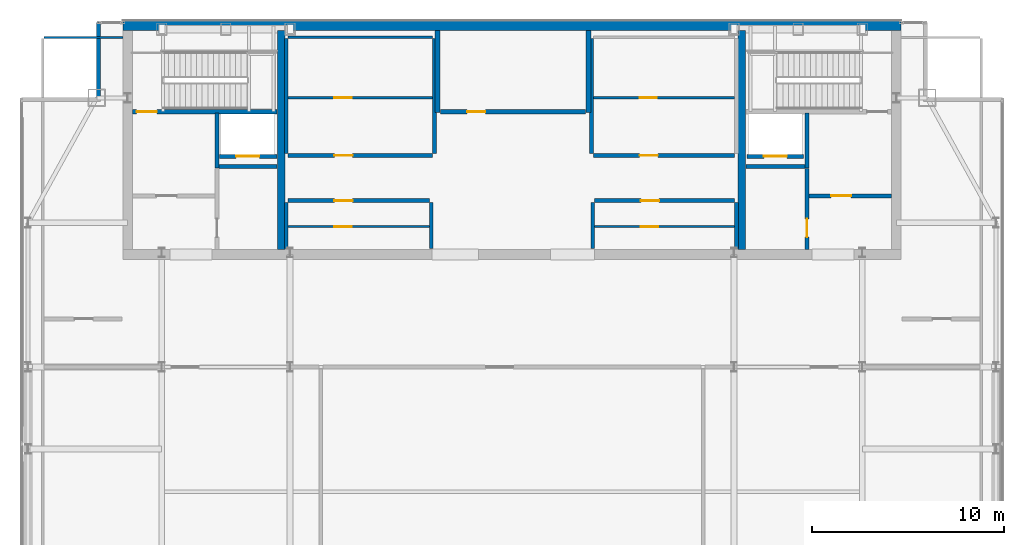
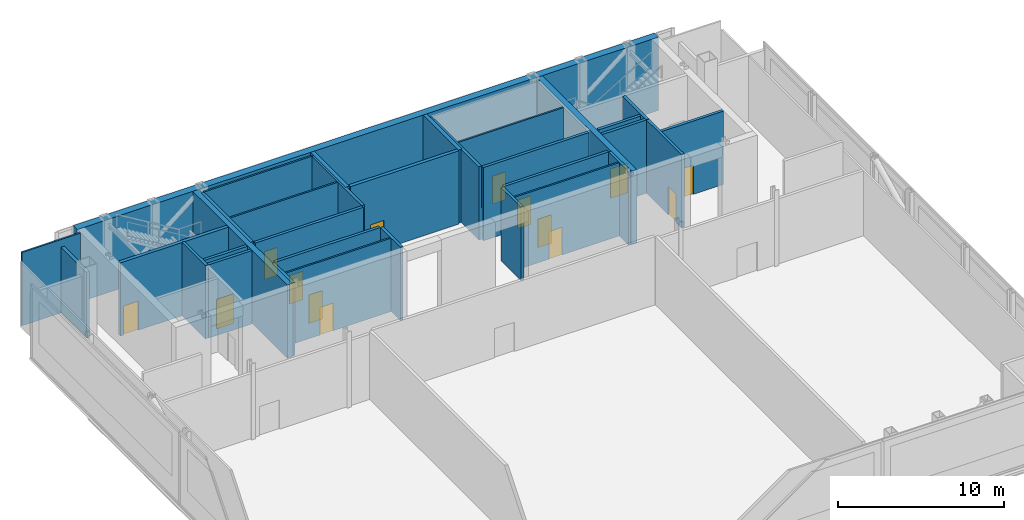
# One storey, part 19 of 22: 33 walls, 14 doors, 14 openings.
"""IFC4 building model written with IfcOpenShell, lengths in metres."""

import ifcopenshell
import ifcopenshell.guid

model = None  # the IFC model being written
_history = None  # IfcOwnerHistory: only IFC2X3 demands one
_inside = {}  # id of a spatial element -> (the spatial element, [elements in it])
_under = {}  # id of a project, library or spatial element -> (it, [spatial elements below it])
_declared = {}  # id of a project -> (the project, [libraries it declares])
_typed = {}  # id of a type object -> (the type object, [elements of that type])
_made_of = {}  # id of a material, layer set ... -> (it, [elements and type objects made of it])


def new_model(schema):
    """Start an empty IFC model of exactly this schema.

    Asked for "IFC4X3", IfcOpenShell would pick the latest addendum, in which some entities
    have other attributes; the version numbers below select the first issue.
    IFC2X3 requires an IfcOwnerHistory on every rooted entity: one is made here for all.
    """
    global model, _history
    if schema == "IFC4X3":
        model = ifcopenshell.file(schema_version=(4, 3, 0, 0))
    else:
        model = ifcopenshell.file(schema=schema)
    _inside.clear()
    _under.clear()
    _declared.clear()
    _typed.clear()
    _made_of.clear()
    _history = None
    if model.schema == "IFC2X3":
        org = make("IfcOrganization", Name="unknown")
        user = make(
            "IfcPersonAndOrganization",
            ThePerson=make("IfcPerson", FamilyName="unknown"),
            TheOrganization=org,
        )
        app = make(
            "IfcApplication",
            ApplicationDeveloper=org,
            Version="unknown",
            ApplicationFullName="unknown",
            ApplicationIdentifier="unknown",
        )
        _history = make(
            "IfcOwnerHistory",
            OwningUser=user,
            OwningApplication=app,
            ChangeAction="ADDED",
            CreationDate=0,
        )
    return model


def make(cls, **values):
    """One entity of the class cls with the attributes given. An attribute that is None is left unset."""
    return model.create_entity(
        cls, **{name: value for name, value in values.items() if value is not None}
    )


def rooted(cls, **values):
    """An entity with a GlobalId (a new one), such as an element, a storey or a relation."""
    return make(cls, GlobalId=ifcopenshell.guid.new(), OwnerHistory=_history, **values)


def si_unit(unit_type, name, prefix=None):
    """IfcSIUnit, for example si_unit("LENGTHUNIT", "METRE", prefix="MILLI")."""
    return make("IfcSIUnit", UnitType=unit_type, Prefix=prefix, Name=name)


def assignment(units):
    """IfcUnitAssignment: the units of a project."""
    return None if units is None else make("IfcUnitAssignment", Units=units)


def point(xyz):
    """IfcCartesianPoint."""
    return None if xyz is None else make("IfcCartesianPoint", Coordinates=xyz)


def direction(xyz):
    """IfcDirection."""
    return None if xyz is None else make("IfcDirection", DirectionRatios=xyz)


def frame(location, z_axis=None, x_axis=None):
    """IfcAxis2Placement3D, a coordinate frame: its origin and axes. An axis left out is left unset."""
    return make(
        "IfcAxis2Placement3D",
        Location=point(location),
        Axis=direction(z_axis),
        RefDirection=direction(x_axis),
    )


def frame_2d(location, x_axis=None):
    """IfcAxis2Placement2D, a coordinate frame in the plane: its origin and x axis."""
    return make(
        "IfcAxis2Placement2D", Location=point(location), RefDirection=direction(x_axis)
    )


def origin():
    """The frame at (0, 0, 0) with its axes left unset."""
    return frame((0.0, 0.0, 0.0))


def place(relative_to, where):
    """IfcLocalPlacement: puts the frame where relative to a parent placement (None: the world)."""
    return make(
        "IfcLocalPlacement", PlacementRelTo=relative_to, RelativePlacement=where
    )


def context(
    kind, dimensions, precision=None, world=None, true_north=None, identifier=None
):
    """IfcGeometricRepresentationContext, for example the 3D "Model" context."""
    return make(
        "IfcGeometricRepresentationContext",
        ContextIdentifier=identifier,
        ContextType=kind,
        CoordinateSpaceDimension=dimensions,
        Precision=precision,
        WorldCoordinateSystem=world,
        TrueNorth=true_north,
    )


def subcontext(parent, identifier, kind, view, scale=None):
    """IfcGeometricRepresentationSubContext, for example "Body" below "Model"."""
    return make(
        "IfcGeometricRepresentationSubContext",
        ContextIdentifier=identifier,
        ContextType=kind,
        ParentContext=parent,
        TargetScale=scale,
        TargetView=view,
    )


def project(units=None, contexts=None):
    """IfcProject with its units and contexts."""
    return rooted(
        "IfcProject",
        Name="project",
        RepresentationContexts=contexts,
        UnitsInContext=assignment(units),
    )


def spatial(cls, under=None, at=None, **own):
    """A site, building, storey or space (cls), placed at a placement, below another one or the project."""
    s = rooted(cls, ObjectPlacement=at, **own)
    if under is not None:
        _under.setdefault(under.id(), (under, []))[1].append(s)
    return s


def profile(cls, at=None, kind="AREA", **sizes):
    """A parametric profile (cls). Its sizes go by their IFC names, for example OverallWidth=200.0."""
    return make(cls, ProfileType=kind, Position=at, **sizes)


def rectangle(**sizes):
    """IfcRectangleProfileDef."""
    return profile("IfcRectangleProfileDef", **sizes)


def extrude(swept, where, along, depth):
    """IfcExtrudedAreaSolid: the profile swept, set in the frame where, extruded along a direction by depth."""
    return make(
        "IfcExtrudedAreaSolid",
        SweptArea=swept,
        Position=where,
        ExtrudedDirection=direction(along),
        Depth=depth,
    )


def shape(context_of_items, identifier, shape_type, items):
    """IfcShapeRepresentation: the items that make up one representation, for example the "Body"."""
    return make(
        "IfcShapeRepresentation",
        ContextOfItems=context_of_items,
        RepresentationIdentifier=identifier,
        RepresentationType=shape_type,
        Items=items,
    )


def material(Name=None, Category=None):
    """IfcMaterial."""
    return make("IfcMaterial", Name=Name, Category=Category)


def layer(
    of_material, thickness, ventilated=None, Name=None, Category=None, Priority=None
):
    """IfcMaterialLayer: one layer of a wall or slab, of a material (None: an air gap)."""
    return make(
        "IfcMaterialLayer",
        Material=of_material,
        LayerThickness=thickness,
        IsVentilated=ventilated,
        Name=Name,
        Category=Category,
        Priority=Priority,
    )


def layer_set(layers, Name=None):
    """IfcMaterialLayerSet."""
    return make("IfcMaterialLayerSet", MaterialLayers=layers, LayerSetName=Name)


def made_of(thing, what):
    """Note that an element or type object is made of a material, layer set ...; save() writes the relation."""
    if what is not None:
        _made_of.setdefault(what.id(), (what, []))[1].append(thing)
    return thing


def type_object(cls, material=None, **own):
    """A type object (cls), such as IfcWallType, which elements share."""
    return made_of(rooted(cls, **own), material)


def element(
    cls,
    number,
    at=None,
    inside=None,
    cuts=None,
    type_object=None,
    material=None,
    context=None,
    identifier="Body",
    shape_type=None,
    held_by="IfcProductDefinitionShape",
    body=None,
    shapes=None,
    **own,
):
    """One element of the class cls, such as IfcWall. Its Tag is "e" and its number.

    at: its placement. inside: the storey or other place that contains it. cuts: it is an
    opening in that element (IfcRelVoidsElement). A single representation is given by context,
    identifier, shape_type and body (its items); several are given by shapes. held_by: the class
    of the entity that holds the representations. save() writes the other relations.
    """
    e = rooted(cls, Tag="e%d" % number, ObjectPlacement=at, **own)
    if body is not None:
        shapes = [shape(context, identifier, shape_type, body)]
    if shapes is not None:
        e.Representation = make(held_by, Representations=shapes)
    if inside is not None:
        _inside.setdefault(inside.id(), (inside, []))[1].append(e)
    if cuts is not None:
        rooted(
            "IfcRelVoidsElement", RelatingBuildingElement=cuts, RelatedOpeningElement=e
        )
    if type_object is not None:
        _typed.setdefault(type_object.id(), (type_object, []))[1].append(e)
    return made_of(e, material)


def fill(opening, filler):
    """IfcRelFillsElement: the door or window that sits in an opening."""
    return rooted(
        "IfcRelFillsElement",
        RelatingOpeningElement=opening,
        RelatedBuildingElement=filler,
    )


def aggregate(whole, parts):
    """IfcRelAggregates: a whole, such as a stair, and the parts it consists of."""
    return rooted("IfcRelAggregates", RelatingObject=whole, RelatedObjects=parts)


def save(model, path):
    """Write the relations noted so far, then the file.

    IfcRelAggregates (storeys below a building ...), IfcRelContainedInSpatialStructure (elements
    in a storey), IfcRelDefinesByType, IfcRelAssociatesMaterial and IfcRelDeclares: one each for
    every whole, place, type object, material and project.
    """
    for whole, parts in _under.values():
        aggregate(whole, parts)
    for where, things in _inside.values():
        rooted(
            "IfcRelContainedInSpatialStructure",
            RelatedElements=things,
            RelatingStructure=where,
        )
    for kind, things in _typed.values():
        rooted("IfcRelDefinesByType", RelatedObjects=things, RelatingType=kind)
    for what, things in _made_of.values():
        rooted("IfcRelAssociatesMaterial", RelatedObjects=things, RelatingMaterial=what)
    for by, libraries in _declared.values():
        rooted("IfcRelDeclares", RelatingContext=by, RelatedDefinitions=libraries)
    model.write(path)


model = new_model("IFC4")

# Units and contexts
model_context = context("Model", 3, precision=1e-05, world=origin(), true_north=direction((0.0, 1.0)))
body_context = subcontext(model_context, "Body", "Model", "MODEL_VIEW")
ifc_project = project(units=[si_unit("LENGTHUNIT", "METRE"), si_unit("AREAUNIT", "SQUARE_METRE"), si_unit("VOLUMEUNIT", "CUBIC_METRE"), si_unit("PLANEANGLEUNIT", "RADIAN"), si_unit("MASSUNIT", "GRAM", prefix="KILO")], contexts=[model_context])

# Site, building, storey
site_placement = place(None, origin())
site = spatial("IfcSite", under=ifc_project, at=site_placement, CompositionType="ELEMENT")
building_placement = place(site_placement, origin())
building = spatial("IfcBuilding", under=site, at=building_placement, Name="Khoronbel Lancet Exchange", CompositionType="ELEMENT")
storey_placement = place(building_placement, frame((0.0, 0.0, 373.0)))
storey = spatial("IfcBuildingStorey", under=building, at=storey_placement, Name="L95", CompositionType="ELEMENT", Elevation=373.0)

# Walls
ifc_material_1 = material(Name="Concrete C60/75", Category="concrete")
ifc_layer_1 = layer(ifc_material_1, 0.5, Name="Concrete C60/75")
ifc_layer_set_1 = layer_set([ifc_layer_1], Name="Concrete C60/75")
wall_type_1 = type_object("IfcWallType", Name="WL-CW4", PredefinedType="SHEAR", material=ifc_layer_set_1)
wall_1_placement = place(storey_placement, frame((16.199951171875, 53.449951171875, 0.0), z_axis=(0.0, 0.0, 1.0), x_axis=(1.0, 0.0, 0.0)))
element("IfcWall", 1, at=wall_1_placement, inside=storey, type_object=wall_type_1, Name="Level L95 rear core north shear wall", PredefinedType="SHEAR", context=body_context, shape_type="SweptSolid", body=[
    extrude(rectangle(XDim=40.5, YDim=0.5, at=frame_2d((20.25, 0.0))), origin(), (0.0, 0.0, 1.0), 5.39990234375),
])
ifc_material_2 = material(Name="Precast concrete C40/50", Category="concrete")
ifc_layer_2 = layer(ifc_material_2, 0.25, Name="Precast concrete C40/50")
ifc_layer_set_2 = layer_set([ifc_layer_2], Name="Precast concrete C40/50")
wall_type_2 = type_object("IfcWallType", Name="WL-EXT250", PredefinedType="SOLIDWALL", material=ifc_layer_set_2)
wall_2_placement = place(storey_placement, frame((14.93994140625, 49.719970703125, 0.0), z_axis=(0.0, 0.0, 1.0), x_axis=(0.0, 1.0, 0.0)))
element("IfcWall", 2, at=wall_2_placement, inside=storey, type_object=wall_type_2, Name="Level L95 notched-corner limestone pier 05", PredefinedType="SOLIDWALL", context=body_context, shape_type="SweptSolid", body=[
    extrude(rectangle(XDim=3.909912109375, YDim=0.219970703125, at=frame_2d((1.955078125, 0.0))), origin(), (0.0, 0.0, 1.0), 4.840087890625),
])
ifc_material_3 = material(Name="Acoustic Metal-Stud & Mineral-Wool Gypsum Partition 120 mm", Category="gypsum")
ifc_layer_3 = layer(ifc_material_3, 0.1201171875, Name="Acoustic Metal-Stud & Mineral-Wool Gypsum Partition 120 mm")
ifc_layer_set_3 = layer_set([ifc_layer_3], Name="Acoustic Metal-Stud & Mineral-Wool Gypsum Partition 120 mm")
wall_type_3 = type_object("IfcWallType", Name="WL-PRT120", PredefinedType="PARTITIONING", material=ifc_layer_set_3)
wall_3_placement = place(storey_placement, frame((12.094970703125, 52.840087890625, 0.0), z_axis=(0.0, 0.0, 1.0), x_axis=(1.0, 0.0, 0.0)))
element("IfcWall", 3, at=wall_3_placement, inside=storey, type_object=wall_type_3, Name="Level L95 interior partition PW-LIN-NW", PredefinedType="PARTITIONING", context=body_context, shape_type="SweptSolid", body=[
    extrude(rectangle(XDim=4.10498046875, YDim=0.1201171875, at=frame_2d((2.052490234375, 0.0))), origin(), (0.0, 0.0, 1.0), 5.39990234375),
])
ifc_material_4 = material(Name="Fire-Rated Metal-Stud & Mineral-Wool Gypsum Partition 120 mm", Category="gypsum")
ifc_layer_4 = layer(ifc_material_4, 0.1201171875, Name="Fire-Rated Metal-Stud & Mineral-Wool Gypsum Partition 120 mm")
ifc_layer_set_4 = layer_set([ifc_layer_4], Name="Fire-Rated Metal-Stud & Mineral-Wool Gypsum Partition 120 mm")
wall_type_4 = type_object("IfcWallType", Name="WL-PRT120F", PredefinedType="PARTITIONING", material=ifc_layer_set_4)
wall_4_placement = place(storey_placement, frame((24.804931640625, 52.860107421875, 0.0), z_axis=(0.0, 0.0, 1.0), x_axis=(1.0, 0.0, 0.0)))
element("IfcWall", 4, at=wall_4_placement, inside=storey, type_object=wall_type_4, Name="Level L95 interior partition CW-PL-RN", PredefinedType="PARTITIONING", context=body_context, shape_type="SweptSolid", body=[
    extrude(rectangle(XDim=7.510009765625, YDim=0.1201171875, at=frame_2d((3.7548828125, 0.0))), origin(), (0.0, 0.0, 1.0), 5.39990234375),
])

# Wall, opening, door
wall_5_placement = place(storey_placement, frame((24.804931640625, 49.708740234375, 0.0), z_axis=(0.0, 0.0, 1.0), x_axis=(1.0, 0.0, 0.0)))
wall_5 = element("IfcWall", 5, at=wall_5_placement, inside=storey, type_object=wall_type_4, Name="Level L95 interior partition CW-PL-RH", PredefinedType="PARTITIONING", context=body_context, shape_type="SweptSolid", body=[
    extrude(rectangle(XDim=7.510009765625, YDim=0.1201171875, at=frame_2d((3.7548828125, 0.0))), origin(), (0.0, 0.0, 1.0), 5.39990234375),
])
opening_1_placement = place(wall_5_placement, frame((2.39990234375, 0.0, 0.0)))
opening_1 = element("IfcOpeningElement", 6, at=opening_1_placement, cuts=wall_5, Name="Opening FD4", PredefinedType="OPENING", context=body_context, shape_type="SweptSolid", body=[
    extrude(rectangle(XDim=0.89990234375, YDim=2.050048828125, at=frame_2d((0.449951171875, 1.02490234375))), frame((0.0, 0.070068359375, 0.0), z_axis=(0.0, -1.0, 0.0), x_axis=(1.0, 0.0, 0.0)), (0.0, 0.0, 1.0), 0.14013671875),
])
ifc_material_5 = material(Name="Fire-Rated Steel Core Support Door Assembly", Category="steel")
door_type_1 = type_object("IfcDoorType", Name="DR-FD4", OperationType="NOTDEFINED", PredefinedType="DOOR", material=ifc_material_5)
door_1_placement = place(opening_1_placement, origin())
door_1 = element("IfcDoor", 7, at=door_1_placement, inside=storey, type_object=door_type_1, Name="Core PL inner store door L95-1", OperationType="SINGLE_SWING_LEFT", OverallHeight=2.050048828125, OverallWidth=0.89990234375, PredefinedType="DOOR", context=body_context, shape_type="SweptSolid", body=[
    extrude(rectangle(XDim=0.89990234375, YDim=2.050048828125, at=frame_2d((0.449951171875, 1.02490234375))), frame((0.0, 0.02490234375, 0.0), z_axis=(0.0, -1.0, 0.0), x_axis=(1.0, 0.0, 0.0)), (0.0, 0.0, 1.0), 0.050048828125),
])
fill(opening_1, door_1)

wall_6_placement = place(storey_placement, frame((24.804931640625, 43.001953125, 0.0), z_axis=(0.0, 0.0, 1.0), x_axis=(1.0, 0.0, 0.0)))
wall_6 = element("IfcWall", 8, at=wall_6_placement, inside=storey, type_object=wall_type_4, Name="Level L95 interior partition CW-PM-RH", PredefinedType="PARTITIONING", context=body_context, shape_type="SweptSolid", body=[
    extrude(rectangle(XDim=7.340087890625, YDim=0.1201171875, at=frame_2d((3.669921875, 0.0))), origin(), (0.0, 0.0, 1.0), 5.39990234375),
])
opening_2_placement = place(wall_6_placement, frame((2.39990234375, 0.0, 0.0)))
opening_2 = element("IfcOpeningElement", 9, at=opening_2_placement, cuts=wall_6, Name="Opening FD4", PredefinedType="OPENING", context=body_context, shape_type="SweptSolid", body=[
    extrude(rectangle(XDim=0.89990234375, YDim=2.050048828125, at=frame_2d((0.449951171875, 1.02490234375))), frame((0.0, 0.070068359375, 0.0), z_axis=(0.0, -1.0, 0.0), x_axis=(1.0, 0.0, 0.0)), (0.0, 0.0, 1.0), 0.14013671875),
])
door_2_placement = place(opening_2_placement, origin())
door_2 = element("IfcDoor", 10, at=door_2_placement, inside=storey, type_object=door_type_1, Name="Core PM inner store door L95-1", OperationType="SINGLE_SWING_LEFT", OverallHeight=2.050048828125, OverallWidth=0.89990234375, PredefinedType="DOOR", context=body_context, shape_type="SweptSolid", body=[
    extrude(rectangle(XDim=0.89990234375, YDim=2.050048828125, at=frame_2d((0.449951171875, 1.02490234375))), frame((0.0, 0.02490234375, 0.0), z_axis=(0.0, -1.0, 0.0), x_axis=(1.0, 0.0, 0.0)), (0.0, 0.0, 1.0), 0.050048828125),
])
fill(opening_2, door_2)

wall_7_placement = place(storey_placement, frame((40.68505859375, 49.708740234375, 0.0), z_axis=(0.0, 0.0, 1.0), x_axis=(1.0, 0.0, 0.0)))
wall_7 = element("IfcWall", 11, at=wall_7_placement, inside=storey, type_object=wall_type_4, Name="Level L95 interior partition CW-PH-RH", PredefinedType="PARTITIONING", context=body_context, shape_type="SweptSolid", body=[
    extrude(rectangle(XDim=7.349853515625, YDim=0.1201171875, at=frame_2d((3.6748046875, 0.0))), origin(), (0.0, 0.0, 1.0), 5.39990234375),
])
opening_3_placement = place(wall_7_placement, frame((2.39990234375, 0.0, 0.0)))
opening_3 = element("IfcOpeningElement", 12, at=opening_3_placement, cuts=wall_7, Name="Opening FD4", PredefinedType="OPENING", context=body_context, shape_type="SweptSolid", body=[
    extrude(rectangle(XDim=0.89990234375, YDim=2.050048828125, at=frame_2d((0.449951171875, 1.02490234375))), frame((0.0, 0.070068359375, 0.0), z_axis=(0.0, -1.0, 0.0), x_axis=(1.0, 0.0, 0.0)), (0.0, 0.0, 1.0), 0.14013671875),
])
door_3_placement = place(opening_3_placement, origin())
door_3 = element("IfcDoor", 13, at=door_3_placement, inside=storey, type_object=door_type_1, Name="Core PH inner store door L95-1", OperationType="SINGLE_SWING_LEFT", OverallHeight=2.050048828125, OverallWidth=0.89990234375, PredefinedType="DOOR", context=body_context, shape_type="SweptSolid", body=[
    extrude(rectangle(XDim=0.89990234375, YDim=2.050048828125, at=frame_2d((0.449951171875, 1.02490234375))), frame((0.0, 0.02490234375, 0.0), z_axis=(0.0, -1.0, 0.0), x_axis=(1.0, 0.0, 0.0)), (0.0, 0.0, 1.0), 0.050048828125),
])
fill(opening_3, door_3)

wall_8_placement = place(storey_placement, frame((40.7548828125, 43.001953125, 0.0), z_axis=(0.0, 0.0, 1.0), x_axis=(1.0, 0.0, 0.0)))
wall_8 = element("IfcWall", 14, at=wall_8_placement, inside=storey, type_object=wall_type_4, Name="Level L95 interior partition CW-PX-RH", PredefinedType="PARTITIONING", context=body_context, shape_type="SweptSolid", body=[
    extrude(rectangle(XDim=7.280029296875, YDim=0.1201171875, at=frame_2d((3.64013671875, 0.0))), origin(), (0.0, 0.0, 1.0), 5.39990234375),
])
opening_4_placement = place(wall_8_placement, frame((2.39990234375, 0.0, 0.0)))
opening_4 = element("IfcOpeningElement", 15, at=opening_4_placement, cuts=wall_8, Name="Opening FD4", PredefinedType="OPENING", context=body_context, shape_type="SweptSolid", body=[
    extrude(rectangle(XDim=0.89990234375, YDim=2.050048828125, at=frame_2d((0.449951171875, 1.02490234375))), frame((0.0, 0.070068359375, 0.0), z_axis=(0.0, -1.0, 0.0), x_axis=(1.0, 0.0, 0.0)), (0.0, 0.0, 1.0), 0.14013671875),
])
door_4_placement = place(opening_4_placement, origin())
door_4 = element("IfcDoor", 16, at=door_4_placement, inside=storey, type_object=door_type_1, Name="Core PX inner store door L95-1", OperationType="SINGLE_SWING_LEFT", OverallHeight=2.050048828125, OverallWidth=0.89990234375, PredefinedType="DOOR", context=body_context, shape_type="SweptSolid", body=[
    extrude(rectangle(XDim=0.89990234375, YDim=2.050048828125, at=frame_2d((0.449951171875, 1.02490234375))), frame((0.0, 0.02490234375, 0.0), z_axis=(0.0, -1.0, 0.0), x_axis=(1.0, 0.0, 0.0)), (0.0, 0.0, 1.0), 0.050048828125),
])
fill(opening_4, door_4)

ifc_material_6 = material(Name="Autoclaved Aerated Concrete Blockwork 200 mm", Category="masonry")
ifc_layer_5 = layer(ifc_material_6, 0.199951171875, Name="Autoclaved Aerated Concrete Blockwork 200 mm")
ifc_layer_set_5 = layer_set([ifc_layer_5], Name="Autoclaved Aerated Concrete Blockwork 200 mm")
wall_type_5 = type_object("IfcWallType", Name="WL-PRT200", PredefinedType="PARTITIONING", material=ifc_layer_set_5)
wall_9_placement = place(storey_placement, frame((51.610107421875, 46.64990234375, 0.0), z_axis=(0.0, 0.0, 1.0), x_axis=(-1.0, 0.0, 0.0)))
wall_9 = element("IfcWall", 17, at=wall_9_placement, inside=storey, type_object=wall_type_5, Name="Level L95 elevator hoistway landing front wall FFLE", PredefinedType="PARTITIONING", context=body_context, shape_type="SweptSolid", body=[
    extrude(rectangle(XDim=2.920166015625, YDim=0.199951171875, at=frame_2d((1.4599609375, 0.0))), origin(), (0.0, 0.0, 1.0), 5.39990234375),
])
opening_5_placement = place(wall_9_placement, frame((0.860107421875, 0.0, 0.0)))
opening_5 = element("IfcOpeningElement", 18, at=opening_5_placement, cuts=wall_9, Name="Opening LD-FFL2", PredefinedType="OPENING", context=body_context, shape_type="SweptSolid", body=[
    extrude(rectangle(XDim=1.199951171875, YDim=2.179931640625, at=frame_2d((0.60009765625, 1.08984375))), frame((0.0, 0.10986328125, 0.0), z_axis=(0.0, -1.0, 0.0), x_axis=(1.0, 0.0, 0.0)), (0.0, 0.0, 1.0), 0.219970703125),
])
ifc_material_7 = material(Name="Fire-Rated Stainless Bi-Parting Firefighting Lift Door", Category="steel")
door_type_2 = type_object("IfcDoorType", Name="DR-LD-FFL", OperationType="NOTDEFINED", PredefinedType="DOOR", material=ifc_material_7)
door_5_placement = place(opening_5_placement, origin())
door_5 = element("IfcDoor", 19, at=door_5_placement, inside=storey, type_object=door_type_2, Name="Elevator landing sliding door LD-FFL2 L95", OperationType="SLIDING_TO_LEFT", OverallHeight=2.179931640625, OverallWidth=1.199951171875, PredefinedType="DOOR", context=body_context, shape_type="SweptSolid", body=[
    extrude(rectangle(XDim=1.199951171875, YDim=2.179931640625, at=frame_2d((0.60009765625, 1.08984375))), frame((0.0, 0.02490234375, 0.0), z_axis=(0.0, -1.0, 0.0), x_axis=(1.0, 0.0, 0.0)), (0.0, 0.0, 1.0), 0.050048828125),
])
fill(opening_5, door_5)

wall_10_placement = place(storey_placement, frame((24.2099609375, 46.64990234375, 0.0), z_axis=(0.0, 0.0, 1.0), x_axis=(-1.0, 0.0, 0.0)))
wall_10 = element("IfcWall", 20, at=wall_10_placement, inside=storey, type_object=wall_type_5, Name="Level L95 elevator hoistway landing front wall FFLW", PredefinedType="PARTITIONING", context=body_context, shape_type="SweptSolid", body=[
    extrude(rectangle(XDim=2.969970703125, YDim=0.199951171875, at=frame_2d((1.48486328125, 0.0))), origin(), (0.0, 0.0, 1.0), 5.39990234375),
])
opening_6_placement = place(wall_10_placement, frame((0.909912109375, 0.0, 0.0)))
opening_6 = element("IfcOpeningElement", 21, at=opening_6_placement, cuts=wall_10, Name="Opening LD-FFL1", PredefinedType="OPENING", context=body_context, shape_type="SweptSolid", body=[
    extrude(rectangle(XDim=1.199951171875, YDim=2.179931640625, at=frame_2d((0.60009765625, 1.08984375))), frame((0.0, 0.10986328125, 0.0), z_axis=(0.0, -1.0, 0.0), x_axis=(1.0, 0.0, 0.0)), (0.0, 0.0, 1.0), 0.219970703125),
])
door_6_placement = place(opening_6_placement, origin())
door_6 = element("IfcDoor", 22, at=door_6_placement, inside=storey, type_object=door_type_2, Name="Elevator landing sliding door LD-FFL1 L95", OperationType="SLIDING_TO_LEFT", OverallHeight=2.179931640625, OverallWidth=1.199951171875, PredefinedType="DOOR", context=body_context, shape_type="SweptSolid", body=[
    extrude(rectangle(XDim=1.199951171875, YDim=2.179931640625, at=frame_2d((0.60009765625, 1.08984375))), frame((0.0, 0.02490234375, 0.0), z_axis=(0.0, -1.0, 0.0), x_axis=(1.0, 0.0, 0.0)), (0.0, 0.0, 1.0), 0.050048828125),
])
fill(opening_6, door_6)

# Walls
wall_11_placement = place(storey_placement, frame((21.10009765625, 46.050048828125, 0.0), z_axis=(0.0, 0.0, 1.0), x_axis=(0.0, 1.0, 0.0)))
element("IfcWall", 23, at=wall_11_placement, inside=storey, type_object=wall_type_5, Name="Level L95 interior partition CW-FFLW-E", PredefinedType="PARTITIONING", context=body_context, shape_type="SweptSolid", body=[
    extrude(rectangle(XDim=2.849853515625, YDim=0.199951171875, at=frame_2d((1.4248046875, 0.0))), origin(), (0.0, 0.0, 1.0), 5.39990234375),
])
wall_12_placement = place(storey_placement, frame((21.199951171875, 46.1201171875, 0.0), z_axis=(0.0, 0.0, 1.0), x_axis=(1.0, 0.0, 0.0)))
element("IfcWall", 24, at=wall_12_placement, inside=storey, type_object=wall_type_5, Name="Level L95 interior partition CW-FFL1-S", PredefinedType="PARTITIONING", context=body_context, shape_type="SweptSolid", body=[
    extrude(rectangle(XDim=3.02001953125, YDim=0.199951171875, at=frame_2d((1.510009765625, 0.0))), origin(), (0.0, 0.0, 1.0), 5.39990234375),
])
wall_13_placement = place(storey_placement, frame((51.800048828125, 46.050048828125, 0.0), z_axis=(0.0, 0.0, 1.0), x_axis=(0.0, 1.0, 0.0)))
element("IfcWall", 25, at=wall_13_placement, inside=storey, type_object=wall_type_5, Name="Level L95 interior partition CW-FFLE-W", PredefinedType="PARTITIONING", context=body_context, shape_type="SweptSolid", body=[
    extrude(rectangle(XDim=2.849853515625, YDim=0.199951171875, at=frame_2d((1.4248046875, 0.0))), origin(), (0.0, 0.0, 1.0), 5.39990234375),
])

# Wall, opening, door
wall_14_placement = place(storey_placement, frame((51.89990234375, 44.60009765625, 0.0), z_axis=(0.0, 0.0, 1.0), x_axis=(1.0, 0.0, 0.0)))
wall_14 = element("IfcWall", 26, at=wall_14_placement, inside=storey, type_object=wall_type_5, Name="Level L95 interior partition CW-FFLE-S", PredefinedType="PARTITIONING", context=body_context, shape_type="SweptSolid", body=[
    extrude(rectangle(XDim=4.300048828125, YDim=0.199951171875, at=frame_2d((2.14990234375, 0.0))), origin(), (0.0, 0.0, 1.0), 5.39990234375),
])
opening_7_placement = place(wall_14_placement, frame((1.14990234375, 0.0, 0.0)))
opening_7 = element("IfcOpeningElement", 27, at=opening_7_placement, cuts=wall_14, Name="Opening FD1", PredefinedType="OPENING", context=body_context, shape_type="SweptSolid", body=[
    extrude(rectangle(XDim=1.050048828125, YDim=2.14990234375, at=frame_2d((0.52490234375, 1.074951171875))), frame((0.0, 0.10986328125, 0.0), z_axis=(0.0, -1.0, 0.0), x_axis=(1.0, 0.0, 0.0)), (0.0, 0.0, 1.0), 0.219970703125),
])
ifc_material_8 = material(Name="Fire-Rated Painted Steel Door Assembly", Category="steel")
door_type_3 = type_object("IfcDoorType", Name="DR-FD1", OperationType="NOTDEFINED", PredefinedType="DOOR", material=ifc_material_8)
door_7_placement = place(opening_7_placement, origin())
door_7 = element("IfcDoor", 28, at=door_7_placement, inside=storey, type_object=door_type_3, Name="East firefighting lobby FD90S door L95-1", OperationType="SINGLE_SWING_LEFT", OverallHeight=2.14990234375, OverallWidth=1.050048828125, PredefinedType="DOOR", context=body_context, shape_type="SweptSolid", body=[
    extrude(rectangle(XDim=1.050048828125, YDim=2.14990234375, at=frame_2d((0.52490234375, 1.074951171875))), frame((0.0, 0.02490234375, 0.0), z_axis=(0.0, -1.0, 0.0), x_axis=(1.0, 0.0, 0.0)), (0.0, 0.0, 1.0), 0.050048828125),
])
fill(opening_7, door_7)

# Wall
wall_15_placement = place(storey_placement, frame((48.6298828125, 46.1201171875, 0.0), z_axis=(0.0, 0.0, 1.0), x_axis=(1.0, 0.0, 0.0)))
element("IfcWall", 29, at=wall_15_placement, inside=storey, type_object=wall_type_5, Name="Level L95 interior partition CW-FFL2-S", PredefinedType="PARTITIONING", context=body_context, shape_type="SweptSolid", body=[
    extrude(rectangle(XDim=3.070068359375, YDim=0.199951171875, at=frame_2d((1.53515625, 0.0))), origin(), (0.0, 0.0, 1.0), 5.39990234375),
])

# Wall, opening, door
wall_16_placement = place(storey_placement, frame((51.800048828125, 41.800048828125, 0.0), z_axis=(0.0, 0.0, 1.0), x_axis=(0.0, 1.0, 0.0)))
wall_16 = element("IfcWall", 30, at=wall_16_placement, inside=storey, type_object=wall_type_5, Name="Level L95 interior partition CW-SVL2-REC", PredefinedType="PARTITIONING", context=body_context, shape_type="SweptSolid", body=[
    extrude(rectangle(XDim=4.21484375, YDim=0.199951171875, at=frame_2d((2.107421875, 0.0))), origin(), (0.0, 0.0, 1.0), 5.39990234375),
])
opening_8_placement = place(wall_16_placement, frame((0.64990234375, 0.0, 0.0)))
opening_8 = element("IfcOpeningElement", 31, at=opening_8_placement, cuts=wall_16, Name="Opening FD3", PredefinedType="OPENING", context=body_context, shape_type="SweptSolid", body=[
    extrude(rectangle(XDim=0.949951171875, YDim=2.10009765625, at=frame_2d((0.47509765625, 1.050048828125))), frame((0.0, 0.10986328125, 0.0), z_axis=(0.0, -1.0, 0.0), x_axis=(1.0, 0.0, 0.0)), (0.0, 0.0, 1.0), 0.219970703125),
])
ifc_material_9 = material(Name="Fire-Rated Steel Plant & Riser Door Assembly", Category="steel")
door_type_4 = type_object("IfcDoorType", Name="DR-FD3", OperationType="NOTDEFINED", PredefinedType="DOOR", material=ifc_material_9)
door_8_placement = place(opening_8_placement, origin())
door_8 = element("IfcDoor", 32, at=door_8_placement, inside=storey, type_object=door_type_4, Name="Crown hydraulics plant door L95-1", OperationType="SINGLE_SWING_RIGHT", OverallHeight=2.10009765625, OverallWidth=0.949951171875, PredefinedType="DOOR", context=body_context, shape_type="SweptSolid", body=[
    extrude(rectangle(XDim=0.949951171875, YDim=2.10009765625, at=frame_2d((0.47509765625, 1.050048828125))), frame((0.0, 0.02490234375, 0.0), z_axis=(0.0, -1.0, 0.0), x_axis=(1.0, 0.0, 0.0)), (0.0, 0.0, 1.0), 0.050048828125),
])
fill(opening_8, door_8)

# Walls
for number, where, z_axis, x_axis, name in (
    (33, (24.699951171875, 46.804931640625, 0.0), (0.0, 0.0, 1.0), (0.0, 1.0, 0.0), "Level L95 interior partition CW-PL-RW"),
    (34, (32.419921875, 46.804931640625, 0.0), (0.0, 0.0, 1.0), (0.0, 1.0, 0.0), "Level L95 interior partition CW-PL-RE"),
):
    element("IfcWall", number, at=place(storey_placement, frame(where, z_axis=z_axis, x_axis=x_axis)), inside=storey, type_object=wall_type_5, Name=name, PredefinedType="PARTITIONING", context=body_context, shape_type="SweptSolid", body=[
        extrude(rectangle(XDim=5.989990234375, YDim=0.199951171875, at=frame_2d((2.9951171875, 0.0))), origin(), (0.0, 0.0, 1.0), 5.39990234375),
    ])

# Wall, opening, door
wall_17_placement = place(storey_placement, frame((24.804931640625, 46.699951171875, 0.0), z_axis=(0.0, 0.0, 1.0), x_axis=(1.0, 0.0, 0.0)))
wall_17 = element("IfcWall", 35, at=wall_17_placement, inside=storey, type_object=wall_type_5, Name="Level L95 interior partition CW-PL-RF", PredefinedType="PARTITIONING", context=body_context, shape_type="SweptSolid", body=[
    extrude(rectangle(XDim=7.510009765625, YDim=0.199951171875, at=frame_2d((3.7548828125, 0.0))), origin(), (0.0, 0.0, 1.0), 5.39990234375),
])
opening_9_placement = place(wall_17_placement, frame((2.39990234375, 0.0, 0.0)))
opening_9 = element("IfcOpeningElement", 36, at=opening_9_placement, cuts=wall_17, Name="Opening FD3", PredefinedType="OPENING", context=body_context, shape_type="SweptSolid", body=[
    extrude(rectangle(XDim=0.949951171875, YDim=2.10009765625, at=frame_2d((0.47509765625, 1.050048828125))), frame((0.0, 0.10986328125, 0.0), z_axis=(0.0, -1.0, 0.0), x_axis=(1.0, 0.0, 0.0)), (0.0, 0.0, 1.0), 0.219970703125),
])
door_9_placement = place(opening_9_placement, origin())
door_9 = element("IfcDoor", 37, at=door_9_placement, inside=storey, type_object=door_type_4, Name="Core PL merged gallery room door L95-1", OperationType="SINGLE_SWING_RIGHT", OverallHeight=2.10009765625, OverallWidth=0.949951171875, PredefinedType="DOOR", context=body_context, shape_type="SweptSolid", body=[
    extrude(rectangle(XDim=0.949951171875, YDim=2.10009765625, at=frame_2d((0.47509765625, 1.050048828125))), frame((0.0, 0.02490234375, 0.0), z_axis=(0.0, -1.0, 0.0), x_axis=(1.0, 0.0, 0.0)), (0.0, 0.0, 1.0), 0.050048828125),
])
fill(opening_9, door_9)

# Walls
for number, where, z_axis, x_axis, name in (
    (38, (24.699951171875, 41.85009765625, 0.0), (0.0, 0.0, 1.0), (0.0, 1.0, 0.0), "Level L95 interior partition CW-PM-RW"),
    (39, (32.25, 41.85009765625, 0.0), (0.0, 0.0, 1.0), (0.0, 1.0, 0.0), "Level L95 interior partition CW-PM-RE"),
):
    element("IfcWall", number, at=place(storey_placement, frame(where, z_axis=z_axis, x_axis=x_axis)), inside=storey, type_object=wall_type_5, Name=name, PredefinedType="PARTITIONING", context=body_context, shape_type="SweptSolid", body=[
        extrude(rectangle(XDim=2.39501953125, YDim=0.199951171875, at=frame_2d((1.197509765625, 0.0))), origin(), (0.0, 0.0, 1.0), 5.39990234375),
    ])

# Wall, opening, door
wall_18_placement = place(storey_placement, frame((24.804931640625, 44.35009765625, 0.0), z_axis=(0.0, 0.0, 1.0), x_axis=(1.0, 0.0, 0.0)))
wall_18 = element("IfcWall", 40, at=wall_18_placement, inside=storey, type_object=wall_type_5, Name="Level L95 interior partition CW-PM-RF", PredefinedType="PARTITIONING", context=body_context, shape_type="SweptSolid", body=[
    extrude(rectangle(XDim=7.340087890625, YDim=0.199951171875, at=frame_2d((3.669921875, 0.0))), origin(), (0.0, 0.0, 1.0), 5.39990234375),
])
opening_10_placement = place(wall_18_placement, frame((2.39990234375, 0.0, 0.0)))
opening_10 = element("IfcOpeningElement", 41, at=opening_10_placement, cuts=wall_18, Name="Opening FD3", PredefinedType="OPENING", context=body_context, shape_type="SweptSolid", body=[
    extrude(rectangle(XDim=0.949951171875, YDim=2.10009765625, at=frame_2d((0.47509765625, 1.050048828125))), frame((0.0, 0.10986328125, 0.0), z_axis=(0.0, -1.0, 0.0), x_axis=(1.0, 0.0, 0.0)), (0.0, 0.0, 1.0), 0.219970703125),
])
door_10_placement = place(opening_10_placement, origin())
door_10 = element("IfcDoor", 42, at=door_10_placement, inside=storey, type_object=door_type_4, Name="Core PM merged gallery room door L95-1", OperationType="SINGLE_SWING_RIGHT", OverallHeight=2.10009765625, OverallWidth=0.949951171875, PredefinedType="DOOR", context=body_context, shape_type="SweptSolid", body=[
    extrude(rectangle(XDim=0.949951171875, YDim=2.10009765625, at=frame_2d((0.47509765625, 1.050048828125))), frame((0.0, 0.02490234375, 0.0), z_axis=(0.0, -1.0, 0.0), x_axis=(1.0, 0.0, 0.0)), (0.0, 0.0, 1.0), 0.050048828125),
])
fill(opening_10, door_10)

# Wall
wall_19_placement = place(storey_placement, frame((40.580078125, 46.804931640625, 0.0), z_axis=(0.0, 0.0, 1.0), x_axis=(0.0, 1.0, 0.0)))
element("IfcWall", 43, at=wall_19_placement, inside=storey, type_object=wall_type_5, Name="Level L95 interior partition CW-PH-RW", PredefinedType="PARTITIONING", context=body_context, shape_type="SweptSolid", body=[
    extrude(rectangle(XDim=5.989990234375, YDim=0.199951171875, at=frame_2d((2.9951171875, 0.0))), origin(), (0.0, 0.0, 1.0), 5.39990234375),
])

# Wall, opening, door
wall_20_placement = place(storey_placement, frame((40.68505859375, 46.699951171875, 0.0), z_axis=(0.0, 0.0, 1.0), x_axis=(1.0, 0.0, 0.0)))
wall_20 = element("IfcWall", 44, at=wall_20_placement, inside=storey, type_object=wall_type_5, Name="Level L95 interior partition CW-PH-RF", PredefinedType="PARTITIONING", context=body_context, shape_type="SweptSolid", body=[
    extrude(rectangle(XDim=7.349853515625, YDim=0.199951171875, at=frame_2d((3.6748046875, 0.0))), origin(), (0.0, 0.0, 1.0), 5.39990234375),
])
opening_11_placement = place(wall_20_placement, frame((2.39990234375, 0.0, 0.0)))
opening_11 = element("IfcOpeningElement", 45, at=opening_11_placement, cuts=wall_20, Name="Opening FD3", PredefinedType="OPENING", context=body_context, shape_type="SweptSolid", body=[
    extrude(rectangle(XDim=0.949951171875, YDim=2.10009765625, at=frame_2d((0.47509765625, 1.050048828125))), frame((0.0, 0.10986328125, 0.0), z_axis=(0.0, -1.0, 0.0), x_axis=(1.0, 0.0, 0.0)), (0.0, 0.0, 1.0), 0.219970703125),
])
door_11_placement = place(opening_11_placement, origin())
door_11 = element("IfcDoor", 46, at=door_11_placement, inside=storey, type_object=door_type_4, Name="Core PH merged gallery room door L95-1", OperationType="SINGLE_SWING_RIGHT", OverallHeight=2.10009765625, OverallWidth=0.949951171875, PredefinedType="DOOR", context=body_context, shape_type="SweptSolid", body=[
    extrude(rectangle(XDim=0.949951171875, YDim=2.10009765625, at=frame_2d((0.47509765625, 1.050048828125))), frame((0.0, 0.02490234375, 0.0), z_axis=(0.0, -1.0, 0.0), x_axis=(1.0, 0.0, 0.0)), (0.0, 0.0, 1.0), 0.050048828125),
])
fill(opening_11, door_11)

# Walls
for number, where, z_axis, x_axis, name in (
    (47, (40.64990234375, 41.85009765625, 0.0), (0.0, 0.0, 1.0), (0.0, 1.0, 0.0), "Level L95 interior partition CW-PX-RW"),
    (48, (48.139892578125, 41.85009765625, 0.0), (0.0, 0.0, 1.0), (0.0, 1.0, 0.0), "Level L95 interior partition CW-PX-RE"),
):
    element("IfcWall", number, at=place(storey_placement, frame(where, z_axis=z_axis, x_axis=x_axis)), inside=storey, type_object=wall_type_5, Name=name, PredefinedType="PARTITIONING", context=body_context, shape_type="SweptSolid", body=[
        extrude(rectangle(XDim=2.39501953125, YDim=0.199951171875, at=frame_2d((1.197509765625, 0.0))), origin(), (0.0, 0.0, 1.0), 5.39990234375),
    ])

# Wall, opening, door
wall_21_placement = place(storey_placement, frame((40.7548828125, 44.35009765625, 0.0), z_axis=(0.0, 0.0, 1.0), x_axis=(1.0, 0.0, 0.0)))
wall_21 = element("IfcWall", 49, at=wall_21_placement, inside=storey, type_object=wall_type_5, Name="Level L95 interior partition CW-PX-RF", PredefinedType="PARTITIONING", context=body_context, shape_type="SweptSolid", body=[
    extrude(rectangle(XDim=7.280029296875, YDim=0.199951171875, at=frame_2d((3.64013671875, 0.0))), origin(), (0.0, 0.0, 1.0), 5.39990234375),
])
opening_12_placement = place(wall_21_placement, frame((2.39990234375, 0.0, 0.0)))
opening_12 = element("IfcOpeningElement", 50, at=opening_12_placement, cuts=wall_21, Name="Opening FD3", PredefinedType="OPENING", context=body_context, shape_type="SweptSolid", body=[
    extrude(rectangle(XDim=0.949951171875, YDim=2.10009765625, at=frame_2d((0.47509765625, 1.050048828125))), frame((0.0, 0.10986328125, 0.0), z_axis=(0.0, -1.0, 0.0), x_axis=(1.0, 0.0, 0.0)), (0.0, 0.0, 1.0), 0.219970703125),
])
door_12_placement = place(opening_12_placement, origin())
door_12 = element("IfcDoor", 51, at=door_12_placement, inside=storey, type_object=door_type_4, Name="Core PX merged gallery room door L95-1", OperationType="SINGLE_SWING_RIGHT", OverallHeight=2.10009765625, OverallWidth=0.949951171875, PredefinedType="DOOR", context=body_context, shape_type="SweptSolid", body=[
    extrude(rectangle(XDim=0.949951171875, YDim=2.10009765625, at=frame_2d((0.47509765625, 1.050048828125))), frame((0.0, 0.02490234375, 0.0), z_axis=(0.0, -1.0, 0.0), x_axis=(1.0, 0.0, 0.0)), (0.0, 0.0, 1.0), 0.050048828125),
])
fill(opening_12, door_12)

# Walls
ifc_layer_6 = layer(ifc_material_1, 0.39990234375, Name="Concrete C60/75")
ifc_layer_set_6 = layer_set([ifc_layer_6], Name="Concrete C60/75")
wall_type_6 = type_object("IfcWallType", Name="WL-SW2", PredefinedType="SHEAR", material=ifc_layer_set_6)
for number, where, z_axis, x_axis, name in (
    (52, (24.449951171875, 41.800048828125, 0.0), (0.0, 0.0, 1.0), (0.0, 1.0, 0.0), "Level L95 rear core internal spine shear wall IW"),
    (53, (48.39990234375, 41.800048828125, 0.0), (0.0, 0.0, 1.0), (0.0, 1.0, 0.0), "Level L95 rear core internal spine shear wall IE"),
):
    element("IfcWall", number, at=place(storey_placement, frame(where, z_axis=z_axis, x_axis=x_axis)), inside=storey, type_object=wall_type_6, Name=name, PredefinedType="SHEAR", context=body_context, shape_type="SweptSolid", body=[
        extrude(rectangle(XDim=11.39990234375, YDim=0.39990234375, at=frame_2d((5.699951171875, 0.0))), origin(), (0.0, 0.0, 1.0), 5.39990234375),
    ])
ifc_layer_7 = layer(ifc_material_1, 0.260009765625, Name="Concrete C60/75")
ifc_layer_set_7 = layer_set([ifc_layer_7], Name="Concrete C60/75")
wall_type_7 = type_object("IfcWallType", Name="WL-SW3", PredefinedType="SHEAR", material=ifc_layer_set_7)
for number, where, z_axis, x_axis, name in (
    (54, (32.580078125, 48.949951171875, 0.0), (0.0, 0.0, 1.0), (0.0, 1.0, 0.0), "Level L95 central stairwell structural shear wall ST3W"),
    (55, (40.419921875, 48.949951171875, 0.0), (0.0, 0.0, 1.0), (0.0, 1.0, 0.0), "Level L95 central stairwell structural shear wall ST3E"),
):
    element("IfcWall", number, at=place(storey_placement, frame(where, z_axis=z_axis, x_axis=x_axis)), inside=storey, type_object=wall_type_7, Name=name, PredefinedType="SHEAR", context=body_context, shape_type="SweptSolid", body=[
        extrude(rectangle(XDim=4.25, YDim=0.260009765625, at=frame_2d((2.125, 0.0))), origin(), (0.0, 0.0, 1.0), 5.39990234375),
    ])

# Wall, opening, door
wall_22_placement = place(storey_placement, frame((16.699951171875, 48.97998046875, 0.0), z_axis=(0.0, 0.0, 1.0), x_axis=(1.0, 0.0, 0.0)))
wall_22 = element("IfcWall", 56, at=wall_22_placement, inside=storey, type_object=wall_type_7, Name="Level L95 west stairwell structural south wall", PredefinedType="SHEAR", context=body_context, shape_type="SweptSolid", body=[
    extrude(rectangle(XDim=7.52001953125, YDim=0.239990234375, at=frame_2d((3.760009765625, 0.0))), origin(), (0.0, 0.0, 1.0), 5.39990234375),
])
opening_13_placement = place(wall_22_placement, frame((0.219970703125, 0.0, 0.0)))
opening_13 = element("IfcOpeningElement", 57, at=opening_13_placement, cuts=wall_22, Name="Opening SD1", PredefinedType="OPENING", context=body_context, shape_type="SweptSolid", body=[
    extrude(rectangle(XDim=1.050048828125, YDim=2.14990234375, at=frame_2d((0.52490234375, 1.074951171875))), frame((0.0, 0.1298828125, 0.0), z_axis=(0.0, -1.0, 0.0), x_axis=(1.0, 0.0, 0.0)), (0.0, 0.0, 1.0), 0.260009765625),
])
ifc_material_10 = material(Name="Fire-Rated Steel Stairwell Door Assembly", Category="steel")
door_type_5 = type_object("IfcDoorType", Name="DR-SD1", OperationType="NOTDEFINED", PredefinedType="DOOR", material=ifc_material_10)
door_13_placement = place(opening_13_placement, origin())
door_13 = element("IfcDoor", 58, at=door_13_placement, inside=storey, type_object=door_type_5, Name="Protected exit stair ST1 door L95", OperationType="SINGLE_SWING_LEFT", OverallHeight=2.14990234375, OverallWidth=1.050048828125, PredefinedType="DOOR", context=body_context, shape_type="SweptSolid", body=[
    extrude(rectangle(XDim=1.050048828125, YDim=2.14990234375, at=frame_2d((0.52490234375, 1.074951171875))), frame((0.0, 0.02490234375, 0.0), z_axis=(0.0, -1.0, 0.0), x_axis=(1.0, 0.0, 0.0)), (0.0, 0.0, 1.0), 0.050048828125),
])
fill(opening_13, door_13)

wall_23_placement = place(storey_placement, frame((32.719970703125, 48.97998046875, 0.0), z_axis=(0.0, 0.0, 1.0), x_axis=(1.0, 0.0, 0.0)))
wall_23 = element("IfcWall", 59, at=wall_23_placement, inside=storey, type_object=wall_type_7, Name="Level L95 central stairwell structural south wall", PredefinedType="SHEAR", context=body_context, shape_type="SweptSolid", body=[
    extrude(rectangle(XDim=7.56005859375, YDim=0.239990234375, at=frame_2d((3.780029296875, 0.0))), origin(), (0.0, 0.0, 1.0), 5.39990234375),
])
opening_14_placement = place(wall_23_placement, frame((1.39990234375, 0.0, 0.0)))
opening_14 = element("IfcOpeningElement", 60, at=opening_14_placement, cuts=wall_23, Name="Opening FD3", PredefinedType="OPENING", context=body_context, shape_type="SweptSolid", body=[
    extrude(rectangle(XDim=0.949951171875, YDim=2.10009765625, at=frame_2d((0.47509765625, 1.050048828125))), frame((0.0, 0.1298828125, 0.0), z_axis=(0.0, -1.0, 0.0), x_axis=(1.0, 0.0, 0.0)), (0.0, 0.0, 1.0), 0.260009765625),
])
door_14_placement = place(opening_14_placement, origin())
door_14 = element("IfcDoor", 61, at=door_14_placement, inside=storey, type_object=door_type_4, Name="Crown smoke extract plant door L95", OperationType="SINGLE_SWING_RIGHT", OverallHeight=2.10009765625, OverallWidth=0.949951171875, PredefinedType="DOOR", context=body_context, shape_type="SweptSolid", body=[
    extrude(rectangle(XDim=0.949951171875, YDim=2.10009765625, at=frame_2d((0.47509765625, 1.050048828125))), frame((0.0, 0.02490234375, 0.0), z_axis=(0.0, -1.0, 0.0), x_axis=(1.0, 0.0, 0.0)), (0.0, 0.0, 1.0), 0.050048828125),
])
fill(opening_14, door_14)

save(model, "model.ifc")
